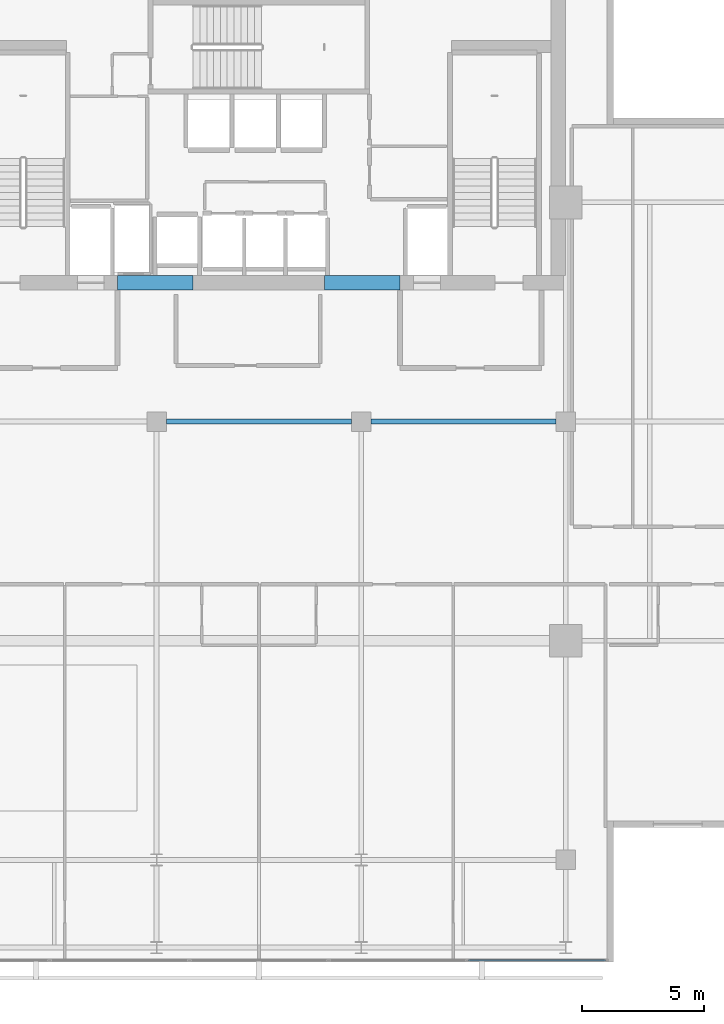
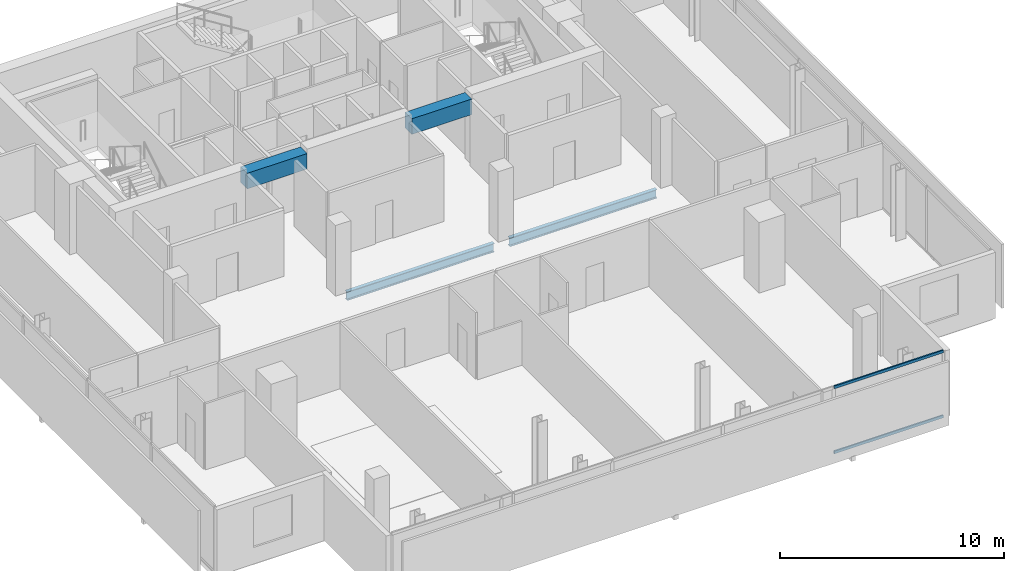
# One storey, part 10 of 23: 4 beams, 2 members, 1 element without a shape of its own.
"""IFC4 building model written with IfcOpenShell, lengths in metres."""

from ifc_helpers import new_model, si_unit, direction, frame, origin, origin_2d, place, context, subcontext, project, spatial, rectangle, hollow_rectangle, i_section, extrude, material, layer, layer_set, material_profile, profile_set, type_object, element, aggregate, save


model = new_model("IFC4")

# Units and contexts
model_context = context("Model", 3, precision=1e-05, world=origin(), true_north=direction((0.0, 1.0)))
body_context = subcontext(model_context, "Body", "Model", "MODEL_VIEW")
ifc_project = project(units=[si_unit("LENGTHUNIT", "METRE"), si_unit("AREAUNIT", "SQUARE_METRE"), si_unit("VOLUMEUNIT", "CUBIC_METRE"), si_unit("PLANEANGLEUNIT", "RADIAN"), si_unit("MASSUNIT", "GRAM", prefix="KILO")], contexts=[model_context])

# Site, building, storey
site_placement = place(None, origin())
site = spatial("IfcSite", under=ifc_project, at=site_placement, CompositionType="ELEMENT")
building_placement = place(site_placement, origin())
building = spatial("IfcBuilding", under=site, at=building_placement, Name="Maruvema Waterfront Hotel and Observation Tower", CompositionType="ELEMENT")
storey_placement = place(building_placement, frame((0.0, 0.0, 341.25)))
storey = spatial("IfcBuildingStorey", under=building, at=storey_placement, Name="L84", CompositionType="ELEMENT", Elevation=341.25)

# Beams
ifc_material_1 = material(Name="Concrete C60/75", Category="concrete")
ifc_material_profile_1 = material_profile(ifc_material_1, rectangle(XDim=0.60009765625, YDim=0.85009765625, at=origin_2d()), Name="CB600x850")
ifc_profile_set_1 = profile_set([ifc_material_profile_1], Name="Concrete C60/75")
beam_type_1 = type_object("IfcBeamType", Name="Core Coupling Lintel Beam CB600x850", PredefinedType="LINTEL", material=ifc_profile_set_1)
for number, where, z_axis, x_axis, name in (
    (1, (32.0, 41.699951171875, 3.18505859375), (1.0, 0.0, 0.0), (0.0, 1.0, 0.0), "L84 Core Coupling Lintel Beam West"),
    (2, (40.5, 41.699951171875, 3.18505859375), (1.0, 0.0, 0.0), (0.0, 1.0, 0.0), "L84 Core Coupling Lintel Beam East"),
):
    element("IfcBeam", number, at=place(storey_placement, frame(where, z_axis=z_axis, x_axis=x_axis)), inside=storey, type_object=beam_type_1, Name=name, PredefinedType="LINTEL", context=body_context, shape_type="SweptSolid", body=[
        extrude(rectangle(XDim=0.60009765625, YDim=0.85009765625, at=origin_2d()), origin(), (0.0, 0.0, 1.0), 3.10009765625),
    ])

# Curtain wall, members
ifc_material_2 = material(Name="Anodised bronze aluminium and solar-control low-E IGU", Category="aluminium")
ifc_layer = layer(ifc_material_2, 0.159912109375, Name="Zone 4 Sky Residence Inner Curtain Wall System CW-05")
ifc_layer_set = layer_set([ifc_layer], Name="Anodised bronze aluminium and solar-control low-E IGU")
curtain_wall_type = type_object("IfcCurtainWallType", Name="Zone 4 Sky Residence Inner Curtain Wall System CW-05", PredefinedType="USERDEFINED", material=ifc_layer_set)
curtain_wall_placement = place(storey_placement, origin())
curtain_wall = element("IfcCurtainWall", 3, at=curtain_wall_placement, inside=storey, type_object=curtain_wall_type, Name="L84 Curtain Wall CW-L84-S", ObjectType="UNITISED CURTAIN WALL", PredefinedType="USERDEFINED")
ifc_material_3 = material(Name="Anodised architectural bronze aluminium", Category="aluminium")
ifc_material_profile_2 = material_profile(ifc_material_3, hollow_rectangle(XDim=0.070068359375, YDim=0.14990234375, WallThickness=0.00390625, at=origin_2d()), Name="ALU-T70x150")
ifc_profile_set_2 = profile_set([ifc_material_profile_2], Name="Anodised architectural bronze aluminium")
member_type = type_object("IfcMemberType", Name="Curtain Wall Horizontal Transom ALU-T70x150", PredefinedType="USERDEFINED", material=ifc_profile_set_2)
member_1_placement = place(storey_placement, frame((46.409912109375, 13.8798828125, 0.030029296875), z_axis=(1.0, 0.0, 0.0), x_axis=(0.0, 1.0, 0.0)))
member_1 = element("IfcMember", 4, at=member_1_placement, type_object=member_type, Name="CW-05 transom 5.1", ObjectType="TRANSOM", PredefinedType="USERDEFINED", context=body_context, shape_type="SweptSolid", body=[
    extrude(hollow_rectangle(XDim=0.070068359375, YDim=0.14990234375, WallThickness=0.00390625, at=origin_2d()), origin(), (0.0, 0.0, 1.0), 5.630126953125),
])
member_2_placement = place(storey_placement, frame((46.409912109375, 13.8798828125, 3.580078125), z_axis=(1.0, 0.0, 0.0), x_axis=(0.0, 1.0, 0.0)))
member_2 = element("IfcMember", 5, at=member_2_placement, type_object=member_type, Name="CW-05 transom 5.2", ObjectType="TRANSOM", PredefinedType="USERDEFINED", context=body_context, shape_type="SweptSolid", body=[
    extrude(hollow_rectangle(XDim=0.070068359375, YDim=0.14990234375, WallThickness=0.00390625, at=origin_2d()), origin(), (0.0, 0.0, 1.0), 5.630126953125),
])
aggregate(curtain_wall, [member_1, member_2])

# Beams
ifc_material_4 = material(Name="Steel ASTM A572 Grade 50", Category="steel")
ifc_material_profile_3 = material_profile(ifc_material_4, i_section(OverallWidth=0.194091796875, OverallDepth=0.468994140625, WebThickness=0.0126953125, FlangeThickness=0.0205078125, FilletRadius=0.014892578125, at=origin_2d()), Name="W460x106.0")
ifc_profile_set_3 = profile_set([ifc_material_profile_3], Name="Steel ASTM A572 Grade 50")
beam_type_2 = type_object("IfcBeamType", Name="Primary Floor Girder W460x106.0", PredefinedType="BEAM", material=ifc_profile_set_3)
for number, where, z_axis, x_axis, name in (
    (6, (34.0, 36.0, -0.474609375), (1.0, 0.0, 0.0), (0.0, 1.0, 0.0), "L84 Floor Girder EW-12"),
    (7, (42.39990234375, 36.0, -0.474609375), (1.0, 0.0, 0.0), (0.0, 1.0, 0.0), "L84 Floor Girder EW-13"),
):
    element("IfcBeam", number, at=place(storey_placement, frame(where, z_axis=z_axis, x_axis=x_axis)), inside=storey, type_object=beam_type_2, Name=name, PredefinedType="BEAM", context=body_context, shape_type="SweptSolid", body=[
        extrude(i_section(OverallWidth=0.194091796875, OverallDepth=0.468994140625, WebThickness=0.0126953125, FlangeThickness=0.0205078125, FilletRadius=0.014892578125, at=origin_2d()), origin(), (0.0, 0.0, 1.0), 7.60009765625),
    ])

save(model, "model.ifc")
